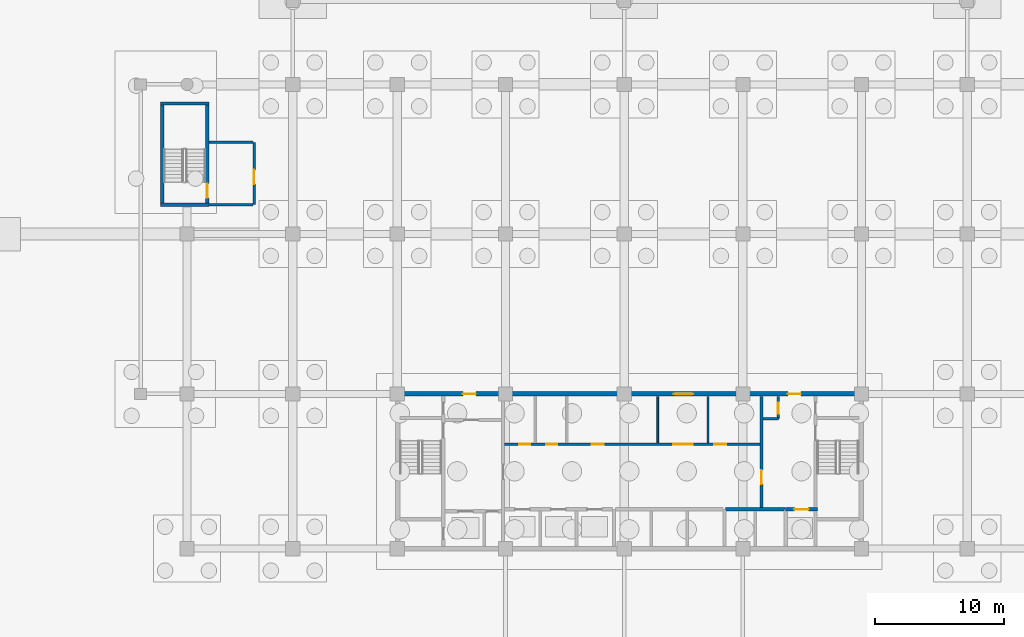
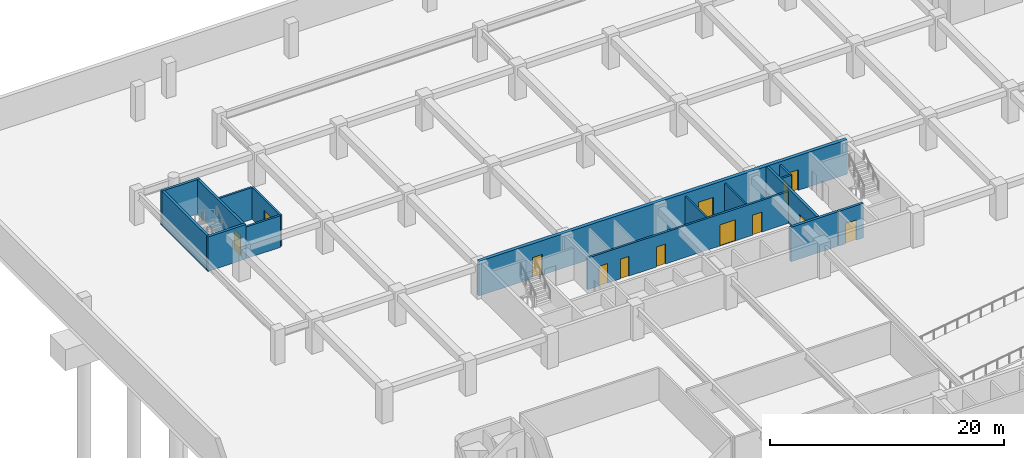
# One storey, part 14 of 26: 16 walls, 13 doors, 13 openings.
"""IFC4 building model written with IfcOpenShell, lengths in metres."""

from ifc_helpers import new_model, si_unit, direction, frame, frame_2d, origin, place, context, subcontext, project, spatial, rectangle, extrude, material, layer, layer_set, type_object, element, fill, save


model = new_model("IFC4")

# Units and contexts
model_context = context("Model", 3, precision=1e-05, world=origin(), true_north=direction((0.0, 1.0)))
body_context = subcontext(model_context, "Body", "Model", "MODEL_VIEW")
ifc_project = project(units=[si_unit("LENGTHUNIT", "METRE"), si_unit("AREAUNIT", "SQUARE_METRE"), si_unit("VOLUMEUNIT", "CUBIC_METRE"), si_unit("PLANEANGLEUNIT", "RADIAN"), si_unit("MASSUNIT", "GRAM", prefix="KILO")], contexts=[model_context])

# Site, building, storey
site_placement = place(None, origin())
site = spatial("IfcSite", under=ifc_project, at=site_placement, CompositionType="ELEMENT")
building_placement = place(site_placement, origin())
building = spatial("IfcBuilding", under=site, at=building_placement, Name="Korimba Cascade Residences", CompositionType="ELEMENT")
storey_placement = place(building_placement, frame((0.0, 0.0, -10.800048828125)))
storey = spatial("IfcBuildingStorey", under=building, at=storey_placement, Name="B03", CompositionType="ELEMENT", Elevation=-10.800048828125)

# Wall, openings, doors
ifc_material_1 = material(Name="Concrete C65/80", Category="concrete")
ifc_layer_1 = layer(ifc_material_1, 0.35009765625)
ifc_layer_set_1 = layer_set([ifc_layer_1], Name="Concrete C65/80")
wall_type_1 = type_object("IfcWallType", Name="WAL-CORE-350", PredefinedType="SHEAR", material=ifc_layer_set_1)
wall_1_placement = place(storey_placement, frame((75.949951171875, 67.199951171875, 0.0), z_axis=(0.0, 0.0, 1.0), x_axis=(1.0, 0.0, 0.0)))
wall_1 = element("IfcWall", 1, at=wall_1_placement, inside=storey, type_object=wall_type_1, Name="B03 Core Shear Wall CW-B03-T1-N", PredefinedType="SHEAR", context=body_context, shape_type="SweptSolid", body=[
    extrude(rectangle(XDim=36.300048828125, YDim=0.35009765625, at=frame_2d((18.14990234375, 0.0))), origin(), (0.0, 0.0, 1.0), 3.60009765625),
])
opening_1_placement = place(wall_1_placement, frame((5.25, 0.0, 0.0)))
opening_1 = element("IfcOpeningElement", 2, at=opening_1_placement, cuts=wall_1, Name="Opening D-FD5", PredefinedType="OPENING", context=body_context, shape_type="SweptSolid", body=[
    extrude(rectangle(XDim=1.0, YDim=2.14990234375, at=frame_2d((0.5, 1.074951171875))), frame((0.0, 0.18505859375, 0.0), z_axis=(0.0, -1.0, 0.0), x_axis=(1.0, 0.0, 0.0)), (0.0, 0.0, 1.0), 0.3701171875),
])
opening_2_placement = place(wall_1_placement, frame((21.60009765625, 0.0, 0.0)))
opening_2 = element("IfcOpeningElement", 3, at=opening_2_placement, cuts=wall_1, Name="Opening D-FD8", PredefinedType="OPENING", context=body_context, shape_type="SweptSolid", body=[
    extrude(rectangle(XDim=1.5, YDim=2.199951171875, at=frame_2d((0.75, 1.10009765625))), frame((0.0, 0.18505859375, 0.0), z_axis=(0.0, -1.0, 0.0), x_axis=(1.0, 0.0, 0.0)), (0.0, 0.0, 1.0), 0.3701171875),
])
opening_3_placement = place(wall_1_placement, frame((30.449951171875, 0.0, 0.0)))
opening_3 = element("IfcOpeningElement", 4, at=opening_3_placement, cuts=wall_1, Name="Opening D-FD5", PredefinedType="OPENING", context=body_context, shape_type="SweptSolid", body=[
    extrude(rectangle(XDim=1.0, YDim=2.14990234375, at=frame_2d((0.5, 1.074951171875))), frame((0.0, 0.18505859375, 0.0), z_axis=(0.0, -1.0, 0.0), x_axis=(1.0, 0.0, 0.0)), (0.0, 0.0, 1.0), 0.3701171875),
])
ifc_material_2 = material(Name="Fire-Rated Acoustic Timber Vestibule Door", Category="wood")
door_type_1 = type_object("IfcDoorType", Name="DR-FD90-1000", OperationType="NOTDEFINED", PredefinedType="DOOR", material=ifc_material_2)
door_1_placement = place(opening_1_placement, origin())
door_1 = element("IfcDoor", 5, at=door_1_placement, inside=storey, type_object=door_type_1, Name="B03 T1 West Core Vestibule Fire Door", OperationType="SINGLE_SWING_RIGHT", OverallHeight=2.14990234375, OverallWidth=1.0, PredefinedType="DOOR", context=body_context, shape_type="SweptSolid", body=[
    extrude(rectangle(XDim=1.0, YDim=2.14990234375, at=frame_2d((0.5, 1.074951171875))), frame((0.0, 0.02490234375, 0.0), z_axis=(0.0, -1.0, 0.0), x_axis=(1.0, 0.0, 0.0)), (0.0, 0.0, 1.0), 0.050048828125),
])
fill(opening_1, door_1)
door_2_placement = place(opening_3_placement, origin())
door_2 = element("IfcDoor", 6, at=door_2_placement, inside=storey, type_object=door_type_1, Name="B03 T1 East Firefighting Vestibule Fire Door", OperationType="SINGLE_SWING_LEFT", OverallHeight=2.14990234375, OverallWidth=1.0, PredefinedType="DOOR", context=body_context, shape_type="SweptSolid", body=[
    extrude(rectangle(XDim=1.0, YDim=2.14990234375, at=frame_2d((0.5, 1.074951171875))), frame((0.0, 0.02490234375, 0.0), z_axis=(0.0, -1.0, 0.0), x_axis=(1.0, 0.0, 0.0)), (0.0, 0.0, 1.0), 0.050048828125),
])
fill(opening_3, door_2)
ifc_material_3 = material(Name="Fire-Rated Glazed Lift Lobby Double Door", Category="glass")
door_type_2 = type_object("IfcDoorType", Name="DR-FD90-1500", OperationType="NOTDEFINED", PredefinedType="DOOR", material=ifc_material_3)
door_3_placement = place(opening_2_placement, origin())
door_3 = element("IfcDoor", 7, at=door_3_placement, inside=storey, type_object=door_type_2, Name="B03 T1 Lift Lobby Fire Door", OperationType="DOUBLE_DOOR_SINGLE_SWING", OverallHeight=2.199951171875, OverallWidth=1.5, PredefinedType="DOOR", context=body_context, shape_type="SweptSolid", body=[
    extrude(rectangle(XDim=1.5, YDim=2.199951171875, at=frame_2d((0.75, 1.10009765625))), frame((0.0, 0.02490234375, 0.0), z_axis=(0.0, -1.0, 0.0), x_axis=(1.0, 0.0, 0.0)), (0.0, 0.0, 1.0), 0.050048828125),
])
fill(opening_2, door_3)

# Walls
ifc_material_4 = material(Name="Insulated Acoustic Stud Partition", Category="gypsum")
ifc_layer_2 = layer(ifc_material_4, 0.14990234375)
ifc_layer_set_2 = layer_set([ifc_layer_2], Name="Insulated Acoustic Stud Partition")
wall_type_2 = type_object("IfcWallType", Name="WAL-PART-150", PredefinedType="PARTITIONING", material=ifc_layer_set_2)
for number, where, z_axis, x_axis, name in (
    (8, (96.300048828125, 63.39990234375, 0.0), (0.0, 0.0, 1.0), (0.0, 1.0, 0.0), "B03 Partition Wall CW-B03-T1-THW"),
    (9, (100.199951171875, 63.39990234375, 0.0), (0.0, 0.0, 1.0), (0.0, 1.0, 0.0), "B03 Partition Wall CW-B03-T1-THE"),
):
    element("IfcWall", number, at=place(storey_placement, frame(where, z_axis=z_axis, x_axis=x_axis)), inside=storey, type_object=wall_type_2, Name=name, PredefinedType="PARTITIONING", context=body_context, shape_type="SweptSolid", body=[
        extrude(rectangle(XDim=3.60009765625, YDim=0.14990234375, at=frame_2d((1.800048828125, 0.0))), origin(), (0.0, 0.0, 1.0), 3.300048828125),
    ])

# Wall, openings, doors
ifc_material_5 = material(Name="Concrete C40/50", Category="concrete")
ifc_layer_3 = layer(ifc_material_5, 0.199951171875)
ifc_layer_set_3 = layer_set([ifc_layer_3], Name="Concrete C40/50")
wall_type_3 = type_object("IfcWallType", Name="WAL-PART-200", PredefinedType="PARTITIONING", material=ifc_layer_set_3)
wall_2_placement = place(storey_placement, frame((84.419921875, 63.300048828125, 0.0), z_axis=(0.0, 0.0, 1.0), x_axis=(1.0, 0.0, 0.0)))
wall_2 = element("IfcWall", 10, at=wall_2_placement, inside=storey, type_object=wall_type_3, Name="B03 Partition Wall CW-B03-T1-SRVROW", PredefinedType="PARTITIONING", context=body_context, shape_type="SweptSolid", body=[
    extrude(rectangle(XDim=19.830078125, YDim=0.199951171875, at=frame_2d((9.9150390625, 0.0))), origin(), (0.0, 0.0, 1.0), 3.300048828125),
])
opening_4_placement = place(wall_2_placement, frame((1.14990234375, 0.0, 0.0)))
opening_4 = element("IfcOpeningElement", 11, at=opening_4_placement, cuts=wall_2, Name="Opening D-RS1", PredefinedType="OPENING", context=body_context, shape_type="SweptSolid", body=[
    extrude(rectangle(XDim=0.85009765625, YDim=2.050048828125, at=frame_2d((0.425048828125, 1.02490234375))), frame((0.0, 0.10986328125, 0.0), z_axis=(0.0, -1.0, 0.0), x_axis=(1.0, 0.0, 0.0)), (0.0, 0.0, 1.0), 0.219970703125),
])
opening_5_placement = place(wall_2_placement, frame((3.25, 0.0, 0.0)))
opening_5 = element("IfcOpeningElement", 12, at=opening_5_placement, cuts=wall_2, Name="Opening D-RS1", PredefinedType="OPENING", context=body_context, shape_type="SweptSolid", body=[
    extrude(rectangle(XDim=0.85009765625, YDim=2.050048828125, at=frame_2d((0.425048828125, 1.02490234375))), frame((0.0, 0.10986328125, 0.0), z_axis=(0.0, -1.0, 0.0), x_axis=(1.0, 0.0, 0.0)), (0.0, 0.0, 1.0), 0.219970703125),
])
opening_6_placement = place(wall_2_placement, frame((13.080078125, 0.0, 0.0)))
opening_6 = element("IfcOpeningElement", 13, at=opening_6_placement, cuts=wall_2, Name="Opening D-FD8", PredefinedType="OPENING", context=body_context, shape_type="SweptSolid", body=[
    extrude(rectangle(XDim=1.5, YDim=2.199951171875, at=frame_2d((0.75, 1.10009765625))), frame((0.0, 0.10986328125, 0.0), z_axis=(0.0, -1.0, 0.0), x_axis=(1.0, 0.0, 0.0)), (0.0, 0.0, 1.0), 0.219970703125),
])
opening_7_placement = place(wall_2_placement, frame((6.780029296875, 0.0, 0.0)))
opening_7 = element("IfcOpeningElement", 14, at=opening_7_placement, cuts=wall_2, Name="Opening D-IN1", PredefinedType="OPENING", context=body_context, shape_type="SweptSolid", body=[
    extrude(rectangle(XDim=0.919921875, YDim=2.080078125, at=frame_2d((0.4599609375, 1.0400390625))), frame((0.0, 0.10986328125, 0.0), z_axis=(0.0, -1.0, 0.0), x_axis=(1.0, 0.0, 0.0)), (0.0, 0.0, 1.0), 0.219970703125),
])
opening_8_placement = place(wall_2_placement, frame((16.280029296875, 0.0, 0.0)))
opening_8 = element("IfcOpeningElement", 15, at=opening_8_placement, cuts=wall_2, Name="Opening D-IN1", PredefinedType="OPENING", context=body_context, shape_type="SweptSolid", body=[
    extrude(rectangle(XDim=0.919921875, YDim=2.080078125, at=frame_2d((0.4599609375, 1.0400390625))), frame((0.0, 0.10986328125, 0.0), z_axis=(0.0, -1.0, 0.0), x_axis=(1.0, 0.0, 0.0)), (0.0, 0.0, 1.0), 0.219970703125),
])
ifc_material_6 = material(Name="Fire-Rated Steel Riser Access Door", Category="steel")
door_type_3 = type_object("IfcDoorType", Name="DR-FD60-850", OperationType="NOTDEFINED", PredefinedType="DOOR", material=ifc_material_6)
door_4_placement = place(opening_4_placement, origin())
door_4 = element("IfcDoor", 16, at=door_4_placement, inside=storey, type_object=door_type_3, Name="B03 Electrical Riser Door", OperationType="SINGLE_SWING_RIGHT", OverallHeight=2.050048828125, OverallWidth=0.85009765625, PredefinedType="DOOR", context=body_context, shape_type="SweptSolid", body=[
    extrude(rectangle(XDim=0.85009765625, YDim=2.050048828125, at=frame_2d((0.425048828125, 1.02490234375))), frame((0.0, 0.02490234375, 0.0), z_axis=(0.0, -1.0, 0.0), x_axis=(1.0, 0.0, 0.0)), (0.0, 0.0, 1.0), 0.050048828125),
])
fill(opening_4, door_4)
door_5_placement = place(opening_5_placement, origin())
door_5 = element("IfcDoor", 17, at=door_5_placement, inside=storey, type_object=door_type_3, Name="B03 Plumbing Riser Door", OperationType="SINGLE_SWING_LEFT", OverallHeight=2.050048828125, OverallWidth=0.85009765625, PredefinedType="DOOR", context=body_context, shape_type="SweptSolid", body=[
    extrude(rectangle(XDim=0.85009765625, YDim=2.050048828125, at=frame_2d((0.425048828125, 1.02490234375))), frame((0.0, 0.02490234375, 0.0), z_axis=(0.0, -1.0, 0.0), x_axis=(1.0, 0.0, 0.0)), (0.0, 0.0, 1.0), 0.050048828125),
])
fill(opening_5, door_5)
door_6_placement = place(opening_6_placement, origin())
door_6 = element("IfcDoor", 18, at=door_6_placement, inside=storey, type_object=door_type_2, Name="B03 Lift Lobby Foyer Archway Door", OperationType="DOUBLE_DOOR_SINGLE_SWING", OverallHeight=2.199951171875, OverallWidth=1.5, PredefinedType="DOOR", context=body_context, shape_type="SweptSolid", body=[
    extrude(rectangle(XDim=1.5, YDim=2.199951171875, at=frame_2d((0.75, 1.10009765625))), frame((0.0, 0.02490234375, 0.0), z_axis=(0.0, -1.0, 0.0), x_axis=(1.0, 0.0, 0.0)), (0.0, 0.0, 1.0), 0.050048828125),
])
fill(opening_6, door_6)
ifc_material_7 = material(Name="Acoustic Timber Living Door", Category="wood")
door_type_4 = type_object("IfcDoorType", Name="DR-INT-920", OperationType="NOTDEFINED", PredefinedType="DOOR", material=ifc_material_7)
door_7_placement = place(opening_7_placement, origin())
door_7 = element("IfcDoor", 19, at=door_7_placement, inside=storey, type_object=door_type_4, Name="B03 Housekeeping Door", OperationType="SINGLE_SWING_RIGHT", OverallHeight=2.080078125, OverallWidth=0.919921875, PredefinedType="DOOR", context=body_context, shape_type="SweptSolid", body=[
    extrude(rectangle(XDim=0.919921875, YDim=2.080078125, at=frame_2d((0.4599609375, 1.0400390625))), frame((0.0, 0.02490234375, 0.0), z_axis=(0.0, -1.0, 0.0), x_axis=(1.0, 0.0, 0.0)), (0.0, 0.0, 1.0), 0.050048828125),
])
fill(opening_7, door_7)
door_8_placement = place(opening_8_placement, origin())
door_8 = element("IfcDoor", 20, at=door_8_placement, inside=storey, type_object=door_type_4, Name="B03 Store Door", OperationType="SINGLE_SWING_LEFT", OverallHeight=2.080078125, OverallWidth=0.919921875, PredefinedType="DOOR", context=body_context, shape_type="SweptSolid", body=[
    extrude(rectangle(XDim=0.919921875, YDim=2.080078125, at=frame_2d((0.4599609375, 1.0400390625))), frame((0.0, 0.02490234375, 0.0), z_axis=(0.0, -1.0, 0.0), x_axis=(1.0, 0.0, 0.0)), (0.0, 0.0, 1.0), 0.050048828125),
])
fill(opening_8, door_8)

# Wall
wall_3_placement = place(storey_placement, frame((104.449951171875, 65.280029296875, 0.0), z_axis=(0.0, 0.0, 1.0), x_axis=(1.0, 0.0, 0.0)))
element("IfcWall", 21, at=wall_3_placement, inside=storey, type_object=wall_type_3, Name="B03 Partition Wall CW-B03-T1-HYDW2S", PredefinedType="PARTITIONING", context=body_context, shape_type="SweptSolid", body=[
    extrude(rectangle(XDim=1.199951171875, YDim=0.199951171875, at=frame_2d((0.60009765625, 0.0))), origin(), (0.0, 0.0, 1.0), 3.300048828125),
])

# Wall, opening, door
wall_4_placement = place(storey_placement, frame((105.64990234375, 65.280029296875, 0.0), z_axis=(0.0, 0.0, 1.0), x_axis=(0.0, 1.0, 0.0)))
wall_4 = element("IfcWall", 22, at=wall_4_placement, inside=storey, type_object=wall_type_3, Name="B03 Partition Wall CW-B03-T1-HYDW2E", PredefinedType="PARTITIONING", context=body_context, shape_type="SweptSolid", body=[
    extrude(rectangle(XDim=1.719970703125, YDim=0.199951171875, at=frame_2d((0.85986328125, 0.0))), origin(), (0.0, 0.0, 1.0), 3.300048828125),
])
opening_9_placement = place(wall_4_placement, frame((0.39990234375, 0.0, 0.0)))
opening_9 = element("IfcOpeningElement", 23, at=opening_9_placement, cuts=wall_4, Name="Opening D-RS1", PredefinedType="OPENING", context=body_context, shape_type="SweptSolid", body=[
    extrude(rectangle(XDim=0.85009765625, YDim=2.050048828125, at=frame_2d((0.425048828125, 1.02490234375))), frame((0.0, 0.10986328125, 0.0), z_axis=(0.0, -1.0, 0.0), x_axis=(1.0, 0.0, 0.0)), (0.0, 0.0, 1.0), 0.219970703125),
])
door_9_placement = place(opening_9_placement, origin())
door_9 = element("IfcDoor", 24, at=door_9_placement, inside=storey, type_object=door_type_3, Name="B03 East Hydrant Door", OperationType="SINGLE_SWING_RIGHT", OverallHeight=2.050048828125, OverallWidth=0.85009765625, PredefinedType="DOOR", context=body_context, shape_type="SweptSolid", body=[
    extrude(rectangle(XDim=0.85009765625, YDim=2.050048828125, at=frame_2d((0.425048828125, 1.02490234375))), frame((0.0, 0.02490234375, 0.0), z_axis=(0.0, -1.0, 0.0), x_axis=(1.0, 0.0, 0.0)), (0.0, 0.0, 1.0), 0.050048828125),
])
fill(opening_9, door_9)

wall_5_placement = place(storey_placement, frame((65.0, 81.875, 0.0), z_axis=(0.0, 0.0, 1.0), x_axis=(0.0, 1.0, 0.0)))
wall_5 = element("IfcWall", 25, at=wall_5_placement, inside=storey, type_object=wall_type_3, Name="B03 Partition Wall CW-B03-PL5E", PredefinedType="PARTITIONING", context=body_context, shape_type="SweptSolid", body=[
    extrude(rectangle(XDim=4.824951171875, YDim=0.199951171875, at=frame_2d((2.41259765625, 0.0))), origin(), (0.0, 0.0, 1.0), 3.300048828125),
])
opening_10_placement = place(wall_5_placement, frame((1.60009765625, 0.0, 0.0)))
opening_10 = element("IfcOpeningElement", 26, at=opening_10_placement, cuts=wall_5, Name="Opening D-FD6", PredefinedType="OPENING", context=body_context, shape_type="SweptSolid", body=[
    extrude(rectangle(XDim=1.10009765625, YDim=2.14990234375, at=frame_2d((0.550048828125, 1.074951171875))), frame((0.0, 0.10986328125, 0.0), z_axis=(0.0, -1.0, 0.0), x_axis=(1.0, 0.0, 0.0)), (0.0, 0.0, 1.0), 0.219970703125),
])
ifc_material_8 = material(Name="Fire-Rated Timber Stair Lobby Door", Category="wood")
door_type_5 = type_object("IfcDoorType", Name="DR-FD90-1100", OperationType="NOTDEFINED", PredefinedType="DOOR", material=ifc_material_8)
door_10_placement = place(opening_10_placement, origin())
door_10 = element("IfcDoor", 27, at=door_10_placement, inside=storey, type_object=door_type_5, Name="B03 North-West Stair Vestibule Door", OperationType="SINGLE_SWING_RIGHT", OverallHeight=2.14990234375, OverallWidth=1.10009765625, PredefinedType="DOOR", context=body_context, shape_type="SweptSolid", body=[
    extrude(rectangle(XDim=1.10009765625, YDim=2.14990234375, at=frame_2d((0.550048828125, 1.074951171875))), frame((0.0, 0.02490234375, 0.0), z_axis=(0.0, -1.0, 0.0), x_axis=(1.0, 0.0, 0.0)), (0.0, 0.0, 1.0), 0.050048828125),
])
fill(opening_10, door_10)

# Walls
for number, where, z_axis, x_axis, name in (
    (28, (61.5, 81.875, 0.0), (0.0, 0.0, 1.0), (1.0, 0.0, 0.0), "B03 Partition Wall CW-B03-PL5S"),
    (29, (61.5, 86.699951171875, 0.0), (0.0, 0.0, 1.0), (1.0, 0.0, 0.0), "B03 Partition Wall CW-B03-PL5N"),
):
    element("IfcWall", number, at=place(storey_placement, frame(where, z_axis=z_axis, x_axis=x_axis)), inside=storey, type_object=wall_type_3, Name=name, PredefinedType="PARTITIONING", context=body_context, shape_type="SweptSolid", body=[
        extrude(rectangle(XDim=3.39990234375, YDim=0.199951171875, at=frame_2d((1.699951171875, 0.0))), origin(), (0.0, 0.0, 1.0), 3.300048828125),
    ])
ifc_material_9 = material(Name="Concrete C50/60", Category="concrete")
ifc_layer_4 = layer(ifc_material_9, 0.25)
ifc_layer_set_4 = layer_set([ifc_layer_4], Name="Concrete C50/60")
wall_type_4 = type_object("IfcWallType", Name="WAL-SHAFT-250", PredefinedType="SHEAR", material=ifc_layer_set_4)
wall_6_placement = place(storey_placement, frame((101.550048828125, 58.25, 0.0), z_axis=(0.0, 0.0, 1.0), x_axis=(1.0, 0.0, 0.0)))
element("IfcWall", 30, at=wall_6_placement, inside=storey, type_object=wall_type_4, Name="B03 Core Shear Wall CW-B03-T1-B3N", PredefinedType="SHEAR", context=body_context, shape_type="SweptSolid", body=[
    extrude(rectangle(XDim=4.599853515625, YDim=0.25, at=frame_2d((2.2998046875, 0.0))), origin(), (0.0, 0.0, 1.0), 3.60009765625),
])

# Wall, opening, door
wall_7_placement = place(storey_placement, frame((106.219970703125, 58.25, 0.0), z_axis=(0.0, 0.0, 1.0), x_axis=(1.0, 0.0, 0.0)))
wall_7 = element("IfcWall", 31, at=wall_7_placement, inside=storey, type_object=wall_type_4, Name="B03 Core Shear Wall CW-B03-T1-FF2N", PredefinedType="SHEAR", context=body_context, shape_type="SweptSolid", body=[
    extrude(rectangle(XDim=2.4599609375, YDim=0.25, at=frame_2d((1.22998046875, 0.0))), origin(), (0.0, 0.0, 1.0), 3.60009765625),
])
opening_11_placement = place(wall_7_placement, frame((0.669921875, 0.0, 0.0)))
opening_11 = element("IfcOpeningElement", 32, at=opening_11_placement, cuts=wall_7, Name="Opening LD-01", PredefinedType="OPENING", context=body_context, shape_type="SweptSolid", body=[
    extrude(rectangle(XDim=1.1201171875, YDim=2.1201171875, at=frame_2d((0.56005859375, 1.06005859375))), frame((0.0, 0.135009765625, 0.0), z_axis=(0.0, -1.0, 0.0), x_axis=(1.0, 0.0, 0.0)), (0.0, 0.0, 1.0), 0.27001953125),
])
ifc_material_10 = material(Name="Stainless Steel Lift Landing Sliding Door", Category="steel")
door_type_6 = type_object("IfcDoorType", Name="DR-LIFT-1100", OperationType="NOTDEFINED", PredefinedType="DOOR", material=ifc_material_10)
door_11_placement = place(opening_11_placement, origin())
door_11 = element("IfcDoor", 33, at=door_11_placement, inside=storey, type_object=door_type_6, Name="B03 Firefighting Lift Landing Door FFL-W2", OperationType="SLIDING_TO_RIGHT", OverallHeight=2.1201171875, OverallWidth=1.1201171875, PredefinedType="DOOR", context=body_context, shape_type="SweptSolid", body=[
    extrude(rectangle(XDim=1.1201171875, YDim=2.1201171875, at=frame_2d((0.56005859375, 1.06005859375))), frame((0.0, 0.02490234375, 0.0), z_axis=(0.0, -1.0, 0.0), x_axis=(1.0, 0.0, 0.0)), (0.0, 0.0, 1.0), 0.050048828125),
])
fill(opening_11, door_11)

wall_8_placement = place(storey_placement, frame((104.35009765625, 58.39990234375, 0.0), z_axis=(0.0, 0.0, 1.0), x_axis=(0.0, 1.0, 0.0)))
wall_8 = element("IfcWall", 34, at=wall_8_placement, inside=storey, type_object=wall_type_4, Name="B03 Core Shear Wall CW-B03-T1-LLEV", PredefinedType="SHEAR", context=body_context, shape_type="SweptSolid", body=[
    extrude(rectangle(XDim=8.60009765625, YDim=0.25, at=frame_2d((4.300048828125, 0.0))), origin(), (0.0, 0.0, 1.0), 3.60009765625),
])
opening_12_placement = place(wall_8_placement, frame((1.800048828125, 0.0, 0.0)))
opening_12 = element("IfcOpeningElement", 35, at=opening_12_placement, cuts=wall_8, Name="Opening D-FD1", PredefinedType="OPENING", context=body_context, shape_type="SweptSolid", body=[
    extrude(rectangle(XDim=1.10009765625, YDim=2.10009765625, at=frame_2d((0.550048828125, 1.050048828125))), frame((0.0, 0.135009765625, 0.0), z_axis=(0.0, -1.0, 0.0), x_axis=(1.0, 0.0, 0.0)), (0.0, 0.0, 1.0), 0.27001953125),
])
ifc_material_11 = material(Name="Fire-Rated Steel Core Door", Category="steel")
door_type_7 = type_object("IfcDoorType", Name="DR-FD120-1100", OperationType="NOTDEFINED", PredefinedType="DOOR", material=ifc_material_11)
door_12_placement = place(opening_12_placement, origin())
door_12 = element("IfcDoor", 36, at=door_12_placement, inside=storey, type_object=door_type_7, Name="B03 Lift Lobby to East Firefighting Lobby Door", OperationType="SINGLE_SWING_LEFT", OverallHeight=2.10009765625, OverallWidth=1.10009765625, PredefinedType="DOOR", context=body_context, shape_type="SweptSolid", body=[
    extrude(rectangle(XDim=1.10009765625, YDim=2.10009765625, at=frame_2d((0.550048828125, 1.050048828125))), frame((0.0, 0.02490234375, 0.0), z_axis=(0.0, -1.0, 0.0), x_axis=(1.0, 0.0, 0.0)), (0.0, 0.0, 1.0), 0.050048828125),
])
fill(opening_12, door_12)

# Walls
wall_9_placement = place(storey_placement, frame((57.875, 82.0, 0.0), z_axis=(0.0, 0.0, 1.0), x_axis=(0.0, 1.0, 0.0)))
element("IfcWall", 37, at=wall_9_placement, inside=storey, type_object=wall_type_4, Name="B03 Core Shear Wall CW-B03-STP5W", PredefinedType="SHEAR", context=body_context, shape_type="SweptSolid", body=[
    extrude(rectangle(XDim=7.60009765625, YDim=0.25, at=frame_2d((3.800048828125, 0.0))), origin(), (0.0, 0.0, 1.0), 3.60009765625),
])
for number, where, z_axis, x_axis, name in (
    (38, (57.75, 81.875, 0.0), (0.0, 0.0, 1.0), (1.0, 0.0, 0.0), "B03 Core Shear Wall CW-B03-STP5S"),
    (39, (57.75, 89.72509765625, 0.0), (0.0, 0.0, 1.0), (1.0, 0.0, 0.0), "B03 Core Shear Wall CW-B03-STP5N"),
):
    element("IfcWall", number, at=place(storey_placement, frame(where, z_axis=z_axis, x_axis=x_axis)), inside=storey, type_object=wall_type_4, Name=name, PredefinedType="SHEAR", context=body_context, shape_type="SweptSolid", body=[
        extrude(rectangle(XDim=3.739990234375, YDim=0.25, at=frame_2d((1.8701171875, 0.0))), origin(), (0.0, 0.0, 1.0), 3.60009765625),
    ])

# Wall, opening, door
wall_10_placement = place(storey_placement, frame((61.364990234375, 82.0, 0.0), z_axis=(0.0, 0.0, 1.0), x_axis=(0.0, 1.0, 0.0)))
wall_10 = element("IfcWall", 40, at=wall_10_placement, inside=storey, type_object=wall_type_4, Name="B03 Core Shear Wall CW-B03-STP5E", PredefinedType="SHEAR", context=body_context, shape_type="SweptSolid", body=[
    extrude(rectangle(XDim=7.60009765625, YDim=0.25, at=frame_2d((3.800048828125, 0.0))), origin(), (0.0, 0.0, 1.0), 3.60009765625),
])
opening_13_placement = place(wall_10_placement, frame((0.39990234375, 0.0, 0.0)))
opening_13 = element("IfcOpeningElement", 41, at=opening_13_placement, cuts=wall_10, Name="Opening D-FD1", PredefinedType="OPENING", context=body_context, shape_type="SweptSolid", body=[
    extrude(rectangle(XDim=1.10009765625, YDim=2.10009765625, at=frame_2d((0.550048828125, 1.050048828125))), frame((0.0, 0.135009765625, 0.0), z_axis=(0.0, -1.0, 0.0), x_axis=(1.0, 0.0, 0.0)), (0.0, 0.0, 1.0), 0.27001953125),
])
door_13_placement = place(opening_13_placement, origin())
door_13 = element("IfcDoor", 42, at=door_13_placement, inside=storey, type_object=door_type_7, Name="B03 Podium Stair ST-P5 Door", OperationType="SINGLE_SWING_LEFT", OverallHeight=2.10009765625, OverallWidth=1.10009765625, PredefinedType="DOOR", context=body_context, shape_type="SweptSolid", body=[
    extrude(rectangle(XDim=1.10009765625, YDim=2.10009765625, at=frame_2d((0.550048828125, 1.050048828125))), frame((0.0, 0.02490234375, 0.0), z_axis=(0.0, -1.0, 0.0), x_axis=(1.0, 0.0, 0.0)), (0.0, 0.0, 1.0), 0.050048828125),
])
fill(opening_13, door_13)

save(model, "model.ifc")
